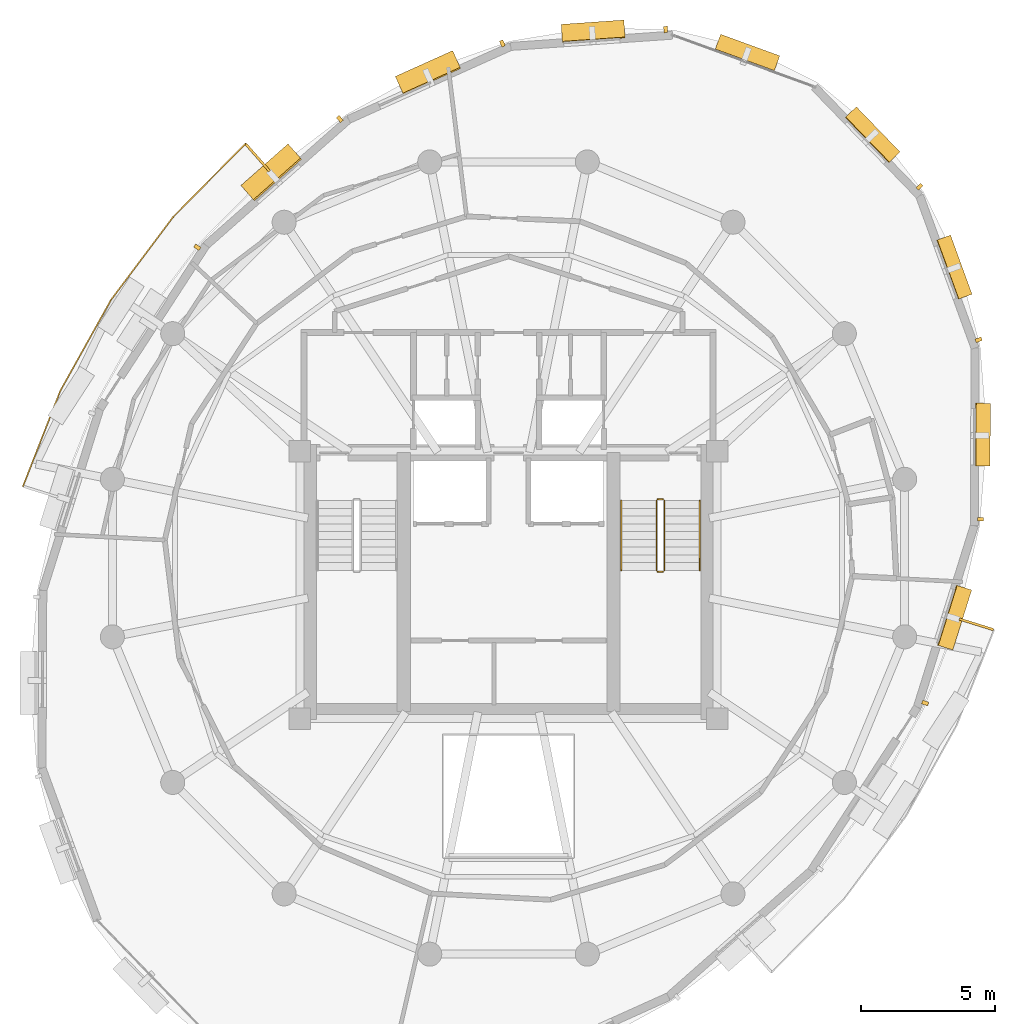
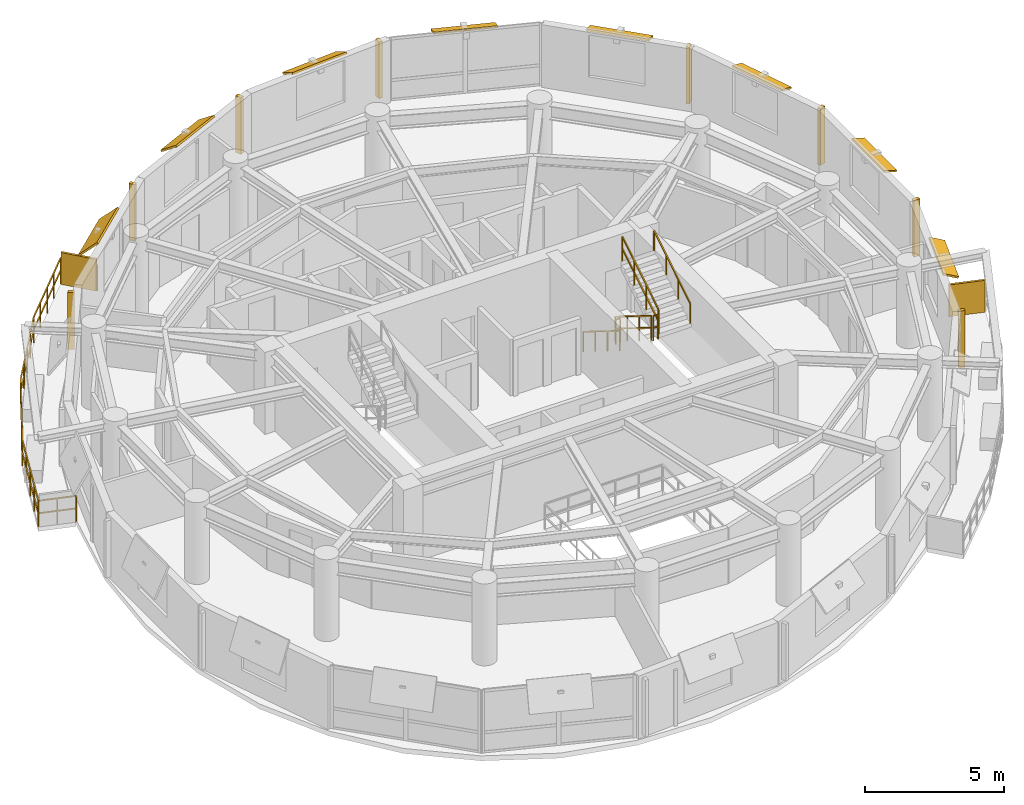
# One storey, part 11 of 11: 18 shading devices, 7 railings.
"""IFC4 building model written with IfcOpenShell, lengths in metres."""

import ifcopenshell
import ifcopenshell.guid

model = None  # the IFC model being written
_history = None  # IfcOwnerHistory: only IFC2X3 demands one
_inside = {}  # id of a spatial element -> (the spatial element, [elements in it])
_under = {}  # id of a project, library or spatial element -> (it, [spatial elements below it])
_declared = {}  # id of a project -> (the project, [libraries it declares])
_typed = {}  # id of a type object -> (the type object, [elements of that type])
_made_of = {}  # id of a material, layer set ... -> (it, [elements and type objects made of it])


def new_model(schema):
    """Start an empty IFC model of exactly this schema.

    Asked for "IFC4X3", IfcOpenShell would pick the latest addendum, in which some entities
    have other attributes; the version numbers below select the first issue.
    IFC2X3 requires an IfcOwnerHistory on every rooted entity: one is made here for all.
    """
    global model, _history
    if schema == "IFC4X3":
        model = ifcopenshell.file(schema_version=(4, 3, 0, 0))
    else:
        model = ifcopenshell.file(schema=schema)
    _inside.clear()
    _under.clear()
    _declared.clear()
    _typed.clear()
    _made_of.clear()
    _history = None
    if model.schema == "IFC2X3":
        org = make("IfcOrganization", Name="unknown")
        user = make(
            "IfcPersonAndOrganization",
            ThePerson=make("IfcPerson", FamilyName="unknown"),
            TheOrganization=org,
        )
        app = make(
            "IfcApplication",
            ApplicationDeveloper=org,
            Version="unknown",
            ApplicationFullName="unknown",
            ApplicationIdentifier="unknown",
        )
        _history = make(
            "IfcOwnerHistory",
            OwningUser=user,
            OwningApplication=app,
            ChangeAction="ADDED",
            CreationDate=0,
        )
    return model


def make(cls, **values):
    """One entity of the class cls with the attributes given. An attribute that is None is left unset."""
    return model.create_entity(
        cls, **{name: value for name, value in values.items() if value is not None}
    )


def rooted(cls, **values):
    """An entity with a GlobalId (a new one), such as an element, a storey or a relation."""
    return make(cls, GlobalId=ifcopenshell.guid.new(), OwnerHistory=_history, **values)


def si_unit(unit_type, name, prefix=None):
    """IfcSIUnit, for example si_unit("LENGTHUNIT", "METRE", prefix="MILLI")."""
    return make("IfcSIUnit", UnitType=unit_type, Prefix=prefix, Name=name)


def assignment(units):
    """IfcUnitAssignment: the units of a project."""
    return None if units is None else make("IfcUnitAssignment", Units=units)


def point(xyz):
    """IfcCartesianPoint."""
    return None if xyz is None else make("IfcCartesianPoint", Coordinates=xyz)


def direction(xyz):
    """IfcDirection."""
    return None if xyz is None else make("IfcDirection", DirectionRatios=xyz)


def frame(location, z_axis=None, x_axis=None):
    """IfcAxis2Placement3D, a coordinate frame: its origin and axes. An axis left out is left unset."""
    return make(
        "IfcAxis2Placement3D",
        Location=point(location),
        Axis=direction(z_axis),
        RefDirection=direction(x_axis),
    )


def frame_2d(location, x_axis=None):
    """IfcAxis2Placement2D, a coordinate frame in the plane: its origin and x axis."""
    return make(
        "IfcAxis2Placement2D", Location=point(location), RefDirection=direction(x_axis)
    )


def origin():
    """The frame at (0, 0, 0) with its axes left unset."""
    return frame((0.0, 0.0, 0.0))


def origin_2d():
    """The frame at (0, 0) in the plane with its x axis left unset."""
    return frame_2d((0.0, 0.0))


def place(relative_to, where):
    """IfcLocalPlacement: puts the frame where relative to a parent placement (None: the world)."""
    return make(
        "IfcLocalPlacement", PlacementRelTo=relative_to, RelativePlacement=where
    )


def context(
    kind, dimensions, precision=None, world=None, true_north=None, identifier=None
):
    """IfcGeometricRepresentationContext, for example the 3D "Model" context."""
    return make(
        "IfcGeometricRepresentationContext",
        ContextIdentifier=identifier,
        ContextType=kind,
        CoordinateSpaceDimension=dimensions,
        Precision=precision,
        WorldCoordinateSystem=world,
        TrueNorth=true_north,
    )


def subcontext(parent, identifier, kind, view, scale=None):
    """IfcGeometricRepresentationSubContext, for example "Body" below "Model"."""
    return make(
        "IfcGeometricRepresentationSubContext",
        ContextIdentifier=identifier,
        ContextType=kind,
        ParentContext=parent,
        TargetScale=scale,
        TargetView=view,
    )


def project(units=None, contexts=None):
    """IfcProject with its units and contexts."""
    return rooted(
        "IfcProject",
        Name="project",
        RepresentationContexts=contexts,
        UnitsInContext=assignment(units),
    )


def spatial(cls, under=None, at=None, **own):
    """A site, building, storey or space (cls), placed at a placement, below another one or the project."""
    s = rooted(cls, ObjectPlacement=at, **own)
    if under is not None:
        _under.setdefault(under.id(), (under, []))[1].append(s)
    return s


def profile(cls, at=None, kind="AREA", **sizes):
    """A parametric profile (cls). Its sizes go by their IFC names, for example OverallWidth=200.0."""
    return make(cls, ProfileType=kind, Position=at, **sizes)


def rectangle(**sizes):
    """IfcRectangleProfileDef."""
    return profile("IfcRectangleProfileDef", **sizes)


def extrude(swept, where, along, depth):
    """IfcExtrudedAreaSolid: the profile swept, set in the frame where, extruded along a direction by depth."""
    return make(
        "IfcExtrudedAreaSolid",
        SweptArea=swept,
        Position=where,
        ExtrudedDirection=direction(along),
        Depth=depth,
    )


def shape(context_of_items, identifier, shape_type, items):
    """IfcShapeRepresentation: the items that make up one representation, for example the "Body"."""
    return make(
        "IfcShapeRepresentation",
        ContextOfItems=context_of_items,
        RepresentationIdentifier=identifier,
        RepresentationType=shape_type,
        Items=items,
    )


def material(Name=None, Category=None):
    """IfcMaterial."""
    return make("IfcMaterial", Name=Name, Category=Category)


def layer(
    of_material, thickness, ventilated=None, Name=None, Category=None, Priority=None
):
    """IfcMaterialLayer: one layer of a wall or slab, of a material (None: an air gap)."""
    return make(
        "IfcMaterialLayer",
        Material=of_material,
        LayerThickness=thickness,
        IsVentilated=ventilated,
        Name=Name,
        Category=Category,
        Priority=Priority,
    )


def layer_set(layers, Name=None):
    """IfcMaterialLayerSet."""
    return make("IfcMaterialLayerSet", MaterialLayers=layers, LayerSetName=Name)


def made_of(thing, what):
    """Note that an element or type object is made of a material, layer set ...; save() writes the relation."""
    if what is not None:
        _made_of.setdefault(what.id(), (what, []))[1].append(thing)
    return thing


def type_object(cls, material=None, **own):
    """A type object (cls), such as IfcWallType, which elements share."""
    return made_of(rooted(cls, **own), material)


def element(
    cls,
    number,
    at=None,
    inside=None,
    cuts=None,
    type_object=None,
    material=None,
    context=None,
    identifier="Body",
    shape_type=None,
    held_by="IfcProductDefinitionShape",
    body=None,
    shapes=None,
    **own,
):
    """One element of the class cls, such as IfcWall. Its Tag is "e" and its number.

    at: its placement. inside: the storey or other place that contains it. cuts: it is an
    opening in that element (IfcRelVoidsElement). A single representation is given by context,
    identifier, shape_type and body (its items); several are given by shapes. held_by: the class
    of the entity that holds the representations. save() writes the other relations.
    """
    e = rooted(cls, Tag="e%d" % number, ObjectPlacement=at, **own)
    if body is not None:
        shapes = [shape(context, identifier, shape_type, body)]
    if shapes is not None:
        e.Representation = make(held_by, Representations=shapes)
    if inside is not None:
        _inside.setdefault(inside.id(), (inside, []))[1].append(e)
    if cuts is not None:
        rooted(
            "IfcRelVoidsElement", RelatingBuildingElement=cuts, RelatedOpeningElement=e
        )
    if type_object is not None:
        _typed.setdefault(type_object.id(), (type_object, []))[1].append(e)
    return made_of(e, material)


def aggregate(whole, parts):
    """IfcRelAggregates: a whole, such as a stair, and the parts it consists of."""
    return rooted("IfcRelAggregates", RelatingObject=whole, RelatedObjects=parts)


def save(model, path):
    """Write the relations noted so far, then the file.

    IfcRelAggregates (storeys below a building ...), IfcRelContainedInSpatialStructure (elements
    in a storey), IfcRelDefinesByType, IfcRelAssociatesMaterial and IfcRelDeclares: one each for
    every whole, place, type object, material and project.
    """
    for whole, parts in _under.values():
        aggregate(whole, parts)
    for where, things in _inside.values():
        rooted(
            "IfcRelContainedInSpatialStructure",
            RelatedElements=things,
            RelatingStructure=where,
        )
    for kind, things in _typed.values():
        rooted("IfcRelDefinesByType", RelatedObjects=things, RelatingType=kind)
    for what, things in _made_of.values():
        rooted("IfcRelAssociatesMaterial", RelatedObjects=things, RelatingMaterial=what)
    for by, libraries in _declared.values():
        rooted("IfcRelDeclares", RelatingContext=by, RelatedDefinitions=libraries)
    model.write(path)


model = new_model("IFC4")

# Units and contexts
model_context = context("Model", 3, precision=1e-05, world=origin(), true_north=direction((0.0, 1.0)))
body_context = subcontext(model_context, "Body", "Model", "MODEL_VIEW")
ifc_project = project(units=[si_unit("LENGTHUNIT", "METRE"), si_unit("AREAUNIT", "SQUARE_METRE"), si_unit("VOLUMEUNIT", "CUBIC_METRE"), si_unit("PLANEANGLEUNIT", "RADIAN"), si_unit("MASSUNIT", "GRAM", prefix="KILO"), si_unit("THERMODYNAMICTEMPERATUREUNIT", "KELVIN"), si_unit("POWERUNIT", "WATT")], contexts=[model_context])

# Site, building, storey
site_placement = place(None, origin())
site = spatial("IfcSite", under=ifc_project, at=site_placement, CompositionType="ELEMENT")
building_placement = place(site_placement, origin())
building = spatial("IfcBuilding", under=site, at=building_placement, Name="Ocrelia Relay Tower", CompositionType="ELEMENT")
storey_placement = place(building_placement, frame((0.0, 0.0, 266.39990234375)))
storey = spatial("IfcBuildingStorey", under=building, at=storey_placement, Name="L66", CompositionType="ELEMENT", Elevation=266.39990234375)

# Railings
ifc_material_1 = material(Name="Steel S355 balustrade", Category="steel")
railing_type_1 = type_object("IfcRailingType", Name="RL-EXT-GUARD-1150", PredefinedType="GUARDRAIL", material=ifc_material_1)
railing_1_placement = place(storey_placement, frame((17.17626953125, 28.270263671875, 0.0)))
element("IfcRailing", 1, at=railing_1_placement, inside=storey, type_object=railing_type_1, Name="L66 Loggia Balcony Guard Rail B1", PredefinedType="GUARDRAIL", context=body_context, shape_type="SweptSolid", body=[
    extrude(rectangle(XDim=0.048095703125, YDim=0.048095703125, at=origin_2d()), frame((0.0, 0.0, 1.1259765625), z_axis=(-0.954719725428, 0.297506715687, 0.0), x_axis=(-0.297506715687, -0.954719725428, 0.0)), (0.0, 0.0, 1.0), 1.393310546875),
    extrude(rectangle(XDim=0.048095703125, YDim=0.048095703125, at=origin_2d()), frame((0.0, 0.0, 0.574951171875), z_axis=(-0.954719725428, 0.297506715687, 0.0), x_axis=(-0.297506715687, -0.954719725428, 0.0)), (0.0, 0.0, 1.0), 1.393310546875),
    extrude(rectangle(XDim=0.048095703125, YDim=0.048095703125, at=origin_2d()), frame((-1.330322265625, 0.41455078125, 1.1259765625), z_axis=(0.364279534591, 0.931289654553, 0.0), x_axis=(-0.931289654553, 0.364279534591, 0.0)), (0.0, 0.0, 1.0), 1.9208984375),
    extrude(rectangle(XDim=0.048095703125, YDim=0.048095703125, at=origin_2d()), frame((-1.330322265625, 0.41455078125, 0.574951171875), z_axis=(0.364279534591, 0.931289654553, 0.0), x_axis=(-0.931289654553, 0.364279534591, 0.0)), (0.0, 0.0, 1.0), 1.9208984375),
    extrude(rectangle(XDim=0.048095703125, YDim=0.048095703125, at=origin_2d()), frame((-0.630615234375, 2.203369140625, 1.1259765625), z_axis=(0.364126183575, 0.931349624167, 0.0), x_axis=(-0.931349624167, 0.364126183575, 0.0)), (0.0, 0.0, 1.0), 1.9208984375),
    extrude(rectangle(XDim=0.048095703125, YDim=0.048095703125, at=origin_2d()), frame((-0.630615234375, 2.203369140625, 0.574951171875), z_axis=(0.364126183575, 0.931349624167, 0.0), x_axis=(-0.931349624167, 0.364126183575, 0.0)), (0.0, 0.0, 1.0), 1.9208984375),
    extrude(rectangle(XDim=0.048095703125, YDim=0.048095703125, at=origin_2d()), frame((0.06884765625, 3.992431640625, 1.1259765625), z_axis=(0.487137508606, 0.87332528173, 0.0), x_axis=(-0.87332528173, 0.487137508606, 0.0)), (0.0, 0.0, 1.0), 3.881591796875),
    extrude(rectangle(XDim=0.048095703125, YDim=0.048095703125, at=origin_2d()), frame((0.06884765625, 3.992431640625, 0.574951171875), z_axis=(0.487137508606, 0.87332528173, 0.0), x_axis=(-0.87332528173, 0.487137508606, 0.0)), (0.0, 0.0, 1.0), 3.881591796875),
    extrude(rectangle(XDim=0.048095703125, YDim=0.048095703125, at=origin_2d()), frame((1.959716796875, 7.38232421875, 1.1259765625), z_axis=(0.59968803612, 0.800233877897, 0.0), x_axis=(-0.800233877897, 0.59968803612, 0.0)), (0.0, 0.0, 1.0), 3.88232421875),
    extrude(rectangle(XDim=0.048095703125, YDim=0.048095703125, at=origin_2d()), frame((1.959716796875, 7.38232421875, 0.574951171875), z_axis=(0.59968803612, 0.800233877897, 0.0), x_axis=(-0.800233877897, 0.59968803612, 0.0)), (0.0, 0.0, 1.0), 3.88232421875),
    extrude(rectangle(XDim=0.048095703125, YDim=0.048095703125, at=origin_2d()), frame((4.287841796875, 10.489013671875, 1.1259765625), z_axis=(0.702707614437, 0.711478747829, 0.0), x_axis=(-0.711478747829, 0.702707614437, 0.0)), (0.0, 0.0, 1.0), 1.920654296875),
    extrude(rectangle(XDim=0.048095703125, YDim=0.048095703125, at=origin_2d()), frame((4.287841796875, 10.489013671875, 0.574951171875), z_axis=(0.702707614437, 0.711478747829, 0.0), x_axis=(-0.711478747829, 0.702707614437, 0.0)), (0.0, 0.0, 1.0), 1.920654296875),
    extrude(rectangle(XDim=0.048095703125, YDim=0.048095703125, at=origin_2d()), frame((5.637451171875, 11.85546875, 1.1259765625), z_axis=(0.702644063333, 0.711541509866, 0.0), x_axis=(-0.711541509866, 0.702644063333, 0.0)), (0.0, 0.0, 1.0), 1.920654296875),
    extrude(rectangle(XDim=0.048095703125, YDim=0.048095703125, at=origin_2d()), frame((5.637451171875, 11.85546875, 0.574951171875), z_axis=(0.702644063333, 0.711541509866, 0.0), x_axis=(-0.711541509866, 0.702644063333, 0.0)), (0.0, 0.0, 1.0), 1.920654296875),
    extrude(rectangle(XDim=0.048095703125, YDim=0.048095703125, at=origin_2d()), frame((6.987060546875, 13.22216796875, 1.1259765625), z_axis=(0.660177516294, -0.751109610497, 0.0), x_axis=(0.751109610497, 0.660177516294, 0.0)), (0.0, 0.0, 1.0), 1.3935546875),
    extrude(rectangle(XDim=0.048095703125, YDim=0.048095703125, at=origin_2d()), frame((6.987060546875, 13.22216796875, 0.574951171875), z_axis=(0.660177516294, -0.751109610497, 0.0), x_axis=(0.751109610497, 0.660177516294, 0.0)), (0.0, 0.0, 1.0), 1.3935546875),
    extrude(rectangle(XDim=0.0419921875, YDim=0.0419921875, at=origin_2d()), origin(), (0.0, 0.0, 1.0), 1.101806640625),
    extrude(rectangle(XDim=0.0419921875, YDim=0.0419921875, at=origin_2d()), frame((-0.6650390625, 0.207275390625, 0.0)), (0.0, 0.0, 1.0), 1.101806640625),
    extrude(rectangle(XDim=0.0419921875, YDim=0.0419921875, at=origin_2d()), frame((-1.330322265625, 0.41455078125, 0.0)), (0.0, 0.0, 1.0), 1.101806640625),
    extrude(rectangle(XDim=0.0419921875, YDim=0.0419921875, at=origin_2d()), frame((-0.98046875, 1.30908203125, 0.0)), (0.0, 0.0, 1.0), 1.101806640625),
    extrude(rectangle(XDim=0.0419921875, YDim=0.0419921875, at=origin_2d()), frame((-0.630615234375, 2.203369140625, 0.0)), (0.0, 0.0, 1.0), 1.101806640625),
    extrude(rectangle(XDim=0.0419921875, YDim=0.0419921875, at=origin_2d()), frame((-0.28076171875, 3.097900390625, 0.0)), (0.0, 0.0, 1.0), 1.101806640625),
    extrude(rectangle(XDim=0.0419921875, YDim=0.0419921875, at=origin_2d()), frame((0.06884765625, 3.992431640625, 0.0)), (0.0, 0.0, 1.0), 1.101806640625),
    extrude(rectangle(XDim=0.0419921875, YDim=0.0419921875, at=origin_2d()), frame((0.54150390625, 4.83984375, 0.0)), (0.0, 0.0, 1.0), 1.101806640625),
    extrude(rectangle(XDim=0.0419921875, YDim=0.0419921875, at=origin_2d()), frame((1.01416015625, 5.6875, 0.0)), (0.0, 0.0, 1.0), 1.101806640625),
    extrude(rectangle(XDim=0.0419921875, YDim=0.0419921875, at=origin_2d()), frame((1.487060546875, 6.534912109375, 0.0)), (0.0, 0.0, 1.0), 1.101806640625),
    extrude(rectangle(XDim=0.0419921875, YDim=0.0419921875, at=origin_2d()), frame((1.959716796875, 7.38232421875, 0.0)), (0.0, 0.0, 1.0), 1.101806640625),
    extrude(rectangle(XDim=0.0419921875, YDim=0.0419921875, at=origin_2d()), frame((2.541748046875, 8.158935546875, 0.0)), (0.0, 0.0, 1.0), 1.101806640625),
    extrude(rectangle(XDim=0.0419921875, YDim=0.0419921875, at=origin_2d()), frame((3.123779296875, 8.935546875, 0.0)), (0.0, 0.0, 1.0), 1.101806640625),
    extrude(rectangle(XDim=0.0419921875, YDim=0.0419921875, at=origin_2d()), frame((3.705810546875, 9.71240234375, 0.0)), (0.0, 0.0, 1.0), 1.101806640625),
    extrude(rectangle(XDim=0.0419921875, YDim=0.0419921875, at=origin_2d()), frame((4.287841796875, 10.489013671875, 0.0)), (0.0, 0.0, 1.0), 1.101806640625),
    extrude(rectangle(XDim=0.0419921875, YDim=0.0419921875, at=origin_2d()), frame((4.962646484375, 11.17236328125, 0.0)), (0.0, 0.0, 1.0), 1.101806640625),
    extrude(rectangle(XDim=0.0419921875, YDim=0.0419921875, at=origin_2d()), frame((5.637451171875, 11.85546875, 0.0)), (0.0, 0.0, 1.0), 1.101806640625),
    extrude(rectangle(XDim=0.0419921875, YDim=0.0419921875, at=origin_2d()), frame((6.312255859375, 12.538818359375, 0.0)), (0.0, 0.0, 1.0), 1.101806640625),
    extrude(rectangle(XDim=0.0419921875, YDim=0.0419921875, at=origin_2d()), frame((6.987060546875, 13.22216796875, 0.0)), (0.0, 0.0, 1.0), 1.101806640625),
    extrude(rectangle(XDim=0.0419921875, YDim=0.0419921875, at=origin_2d()), frame((7.447021484375, 12.69873046875, 0.0)), (0.0, 0.0, 1.0), 1.101806640625),
    extrude(rectangle(XDim=0.0419921875, YDim=0.0419921875, at=origin_2d()), frame((7.906982421875, 12.175537109375, 0.0)), (0.0, 0.0, 1.0), 1.101806640625),
])
railing_type_2 = type_object("IfcRailingType", Name="RL-STAIR-GUARD", PredefinedType="GUARDRAIL", material=ifc_material_1)
railing_2_placement = place(storey_placement, frame((39.530029296875, 28.14990234375, 0.18017578125)))
element("IfcRailing", 2, at=railing_2_placement, inside=storey, type_object=railing_type_2, Name="L66 ST2 stair guard 1", PredefinedType="GUARDRAIL", context=body_context, shape_type="SweptSolid", body=[
    extrude(rectangle(XDim=0.048095703125, YDim=0.048095703125, at=origin_2d()), frame((0.0, 0.0, 1.076171875), z_axis=(0.0, -0.849646306263, 0.527352969322), x_axis=(1.0, 0.0, 0.0)), (0.0, 0.0, 1.0), 3.07177734375),
    extrude(rectangle(XDim=0.048095703125, YDim=0.048095703125, at=origin_2d()), frame((0.0, 0.0, 0.550048828125), z_axis=(0.0, -0.849646306263, 0.527352969322), x_axis=(1.0, 0.0, 0.0)), (0.0, 0.0, 1.0), 3.07177734375),
    extrude(rectangle(XDim=0.0419921875, YDim=0.0419921875, at=origin_2d()), origin(), (0.0, 0.0, 1.0), 1.052001953125),
    extrude(rectangle(XDim=0.0419921875, YDim=0.0419921875, at=origin_2d()), frame((0.0, -0.869873046875, 0.5400390625)), (0.0, 0.0, 1.0), 1.052001953125),
    extrude(rectangle(XDim=0.0419921875, YDim=0.0419921875, at=origin_2d()), frame((0.0, -1.739990234375, 1.079833984375)), (0.0, 0.0, 1.0), 1.052001953125),
    extrude(rectangle(XDim=0.0419921875, YDim=0.0419921875, at=origin_2d()), frame((0.0, -2.60986328125, 1.619873046875)), (0.0, 0.0, 1.0), 1.052001953125),
])
railing_3_placement = place(storey_placement, frame((39.580078125, 25.489990234375, 1.800048828125)))
element("IfcRailing", 3, at=railing_3_placement, inside=storey, type_object=railing_type_2, Name="L66 ST2 stair guard 2", PredefinedType="GUARDRAIL", context=body_context, shape_type="SweptSolid", body=[
    extrude(rectangle(XDim=0.048095703125, YDim=0.048095703125, at=origin_2d()), frame((0.0, 0.0, 1.076171875), z_axis=(1.0, 0.0, 0.0), x_axis=(0.0, 1.0, 0.0)), (0.0, 0.0, 1.0), 0.199951171875),
    extrude(rectangle(XDim=0.048095703125, YDim=0.048095703125, at=origin_2d()), frame((0.0, 0.0, 0.550048828125), z_axis=(1.0, 0.0, 0.0), x_axis=(0.0, 1.0, 0.0)), (0.0, 0.0, 1.0), 0.199951171875),
    extrude(rectangle(XDim=0.0419921875, YDim=0.0419921875, at=origin_2d()), origin(), (0.0, 0.0, 1.0), 1.052001953125),
    extrude(rectangle(XDim=0.0419921875, YDim=0.0419921875, at=origin_2d()), frame((0.199951171875, 0.0, 0.0)), (0.0, 0.0, 1.0), 1.052001953125),
])
railing_4_placement = place(storey_placement, frame((39.830078125, 25.5400390625, 1.97998046875)))
element("IfcRailing", 4, at=railing_4_placement, inside=storey, type_object=railing_type_2, Name="L66 ST2 stair guard 3", PredefinedType="GUARDRAIL", context=body_context, shape_type="SweptSolid", body=[
    extrude(rectangle(XDim=0.048095703125, YDim=0.048095703125, at=origin_2d()), frame((0.0, 0.0, 1.076171875), z_axis=(0.0, 0.849610693518, 0.52741034258), x_axis=(-1.0, 0.0, 0.0)), (0.0, 0.0, 1.0), 3.07177734375),
    extrude(rectangle(XDim=0.048095703125, YDim=0.048095703125, at=origin_2d()), frame((0.0, 0.0, 0.550048828125), z_axis=(0.0, 0.849610693518, 0.52741034258), x_axis=(-1.0, 0.0, 0.0)), (0.0, 0.0, 1.0), 3.07177734375),
    extrude(rectangle(XDim=0.0419921875, YDim=0.0419921875, at=origin_2d()), origin(), (0.0, 0.0, 1.0), 1.052001953125),
    extrude(rectangle(XDim=0.0419921875, YDim=0.0419921875, at=origin_2d()), frame((0.0, 0.869873046875, 0.5400390625)), (0.0, 0.0, 1.0), 1.052001953125),
    extrude(rectangle(XDim=0.0419921875, YDim=0.0419921875, at=origin_2d()), frame((0.0, 1.739990234375, 1.080078125)), (0.0, 0.0, 1.0), 1.052001953125),
    extrude(rectangle(XDim=0.0419921875, YDim=0.0419921875, at=origin_2d()), frame((0.0, 2.60986328125, 1.6201171875)), (0.0, 0.0, 1.0), 1.052001953125),
])
railing_5_placement = place(storey_placement, frame((39.580078125, 28.199951171875, 0.0)))
element("IfcRailing", 5, at=railing_5_placement, inside=storey, type_object=railing_type_2, Name="L66 ST2 stair guard 4", PredefinedType="GUARDRAIL", context=body_context, shape_type="SweptSolid", body=[
    extrude(rectangle(XDim=0.048095703125, YDim=0.048095703125, at=origin_2d()), frame((0.0, 0.0, 1.076171875), z_axis=(1.0, 0.0, 0.0), x_axis=(0.0, 1.0, 0.0)), (0.0, 0.0, 1.0), 0.199951171875),
    extrude(rectangle(XDim=0.048095703125, YDim=0.048095703125, at=origin_2d()), frame((0.0, 0.0, 0.550048828125), z_axis=(1.0, 0.0, 0.0), x_axis=(0.0, 1.0, 0.0)), (0.0, 0.0, 1.0), 0.199951171875),
    extrude(rectangle(XDim=0.0419921875, YDim=0.0419921875, at=origin_2d()), origin(), (0.0, 0.0, 1.0), 1.052001953125),
    extrude(rectangle(XDim=0.0419921875, YDim=0.0419921875, at=origin_2d()), frame((0.199951171875, 0.0, 0.0)), (0.0, 0.0, 1.0), 1.052001953125),
])
ifc_material_2 = material(Name="Steel S355 tubular handrail", Category="steel")
railing_type_3 = type_object("IfcRailingType", Name="RL-STAIR-HAND", PredefinedType="HANDRAIL", material=ifc_material_2)
railing_6_placement = place(storey_placement, frame((38.2099609375, 28.14990234375, 0.18017578125)))
element("IfcRailing", 6, at=railing_6_placement, inside=storey, type_object=railing_type_3, Name="L66 ST2 stair handrail 1", PredefinedType="HANDRAIL", context=body_context, shape_type="SweptSolid", body=[
    extrude(rectangle(XDim=0.048095703125, YDim=0.048095703125, at=origin_2d()), frame((0.0, 0.0, 0.8759765625), z_axis=(0.0, -0.849646306263, 0.527352969322), x_axis=(1.0, 0.0, 0.0)), (0.0, 0.0, 1.0), 3.07177734375),
    extrude(rectangle(XDim=0.0419921875, YDim=0.0419921875, at=origin_2d()), origin(), (0.0, 0.0, 1.0), 0.851806640625),
    extrude(rectangle(XDim=0.0419921875, YDim=0.0419921875, at=origin_2d()), frame((0.0, -0.869873046875, 0.5400390625)), (0.0, 0.0, 1.0), 0.851806640625),
    extrude(rectangle(XDim=0.0419921875, YDim=0.0419921875, at=origin_2d()), frame((0.0, -1.739990234375, 1.079833984375)), (0.0, 0.0, 1.0), 0.851806640625),
    extrude(rectangle(XDim=0.0419921875, YDim=0.0419921875, at=origin_2d()), frame((0.0, -2.60986328125, 1.619873046875)), (0.0, 0.0, 1.0), 0.851806640625),
])
railing_7_placement = place(storey_placement, frame((41.14990234375, 25.5400390625, 1.97998046875)))
element("IfcRailing", 7, at=railing_7_placement, inside=storey, type_object=railing_type_3, Name="L66 ST2 stair handrail 2", PredefinedType="HANDRAIL", context=body_context, shape_type="SweptSolid", body=[
    extrude(rectangle(XDim=0.048095703125, YDim=0.048095703125, at=origin_2d()), frame((0.0, 0.0, 0.8759765625), z_axis=(0.0, 0.849610693518, 0.52741034258), x_axis=(-1.0, 0.0, 0.0)), (0.0, 0.0, 1.0), 3.07177734375),
    extrude(rectangle(XDim=0.0419921875, YDim=0.0419921875, at=origin_2d()), origin(), (0.0, 0.0, 1.0), 0.851806640625),
    extrude(rectangle(XDim=0.0419921875, YDim=0.0419921875, at=origin_2d()), frame((0.0, 0.869873046875, 0.5400390625)), (0.0, 0.0, 1.0), 0.851806640625),
    extrude(rectangle(XDim=0.0419921875, YDim=0.0419921875, at=origin_2d()), frame((0.0, 1.739990234375, 1.080078125)), (0.0, 0.0, 1.0), 0.851806640625),
    extrude(rectangle(XDim=0.0419921875, YDim=0.0419921875, at=origin_2d()), frame((0.0, 2.60986328125, 1.6201171875)), (0.0, 0.0, 1.0), 0.851806640625),
])

# Shading devices
ifc_material_3 = material(Name="Perforated oxide terracotta solar screen", Category="masonry")
ifc_layer_1 = layer(ifc_material_3, 0.090087890625, Name="Perforated oxide terracotta solar screen")
ifc_layer_set_1 = layer_set([ifc_layer_1], Name="Perforated oxide terracotta solar screen")
shading_device_type_1 = type_object("IfcShadingDeviceType", Name="SH-BALC-SCREEN", PredefinedType="USERDEFINED", material=ifc_layer_set_1)
for number, where, z_axis, x_axis, name in (
    (8, (24.623291015625, 40.96923828125, 0.000244140625), (0.0, 0.0, 1.0), (-0.660220126372, 0.751072156809, 0.0), "L66 Balcony Perforated Terracotta Screen B1-1"),
    (9, (51.48876953125, 23.5224609375, 0.000244140625), (0.0, 0.0, 1.0), (0.954687889264, -0.29760886091, 0.0), "L66 Balcony Perforated Terracotta Screen B2-2"),
):
    element("IfcShadingDevice", number, at=place(storey_placement, frame(where, z_axis=z_axis, x_axis=x_axis)), inside=storey, type_object=shading_device_type_1, Name=name, ObjectType="SCREEN", PredefinedType="USERDEFINED", context=body_context, shape_type="SweptSolid", body=[
        extrude(rectangle(XDim=1.340087890625, YDim=0.090087890625, at=origin_2d()), origin(), (0.0, 0.0, 1.0), 1.39990234375),
    ])
ifc_material_4 = material(Name="Extruded oxide terracotta vertical baguette", Category="masonry")
shading_device_type_2 = type_object("IfcShadingDeviceType", Name="SH-TERR-BAGUETTE", PredefinedType="USERDEFINED", material=ifc_material_4)
for number, where, z_axis, x_axis, name in (
    (10, (39.8740234375, 45.76171875, 0.130126953125), (0.0, 0.0, 1.0), (-0.997585371501, -0.069450893212, 0.0), "L66 Oxide Terracotta Vertical Baguette 02"),
    (11, (33.76904296875, 45.2392578125, 0.130126953125), (0.0, 0.0, 1.0), (-0.911788515495, -0.410660082077, 0.0), "L66 Oxide Terracotta Vertical Baguette 03"),
    (12, (27.693115234375, 42.413818359375, 0.130126953125), (0.0, 0.0, 1.0), (-0.750017473549, -0.661418014096, 0.0), "L66 Oxide Terracotta Vertical Baguette 04"),
    (13, (22.364990234375, 37.617919921875, 0.130126953125), (0.0, 0.0, 1.0), (-0.544632623088, -0.838674731865, 0.0), "L66 Oxide Terracotta Vertical Baguette 05"),
    (14, (49.57470703125, 20.5830078125, 0.130126953125), (0.0, 0.0, 1.0), (0.299189540932, 0.954193700774, 0.0), "L66 Oxide Terracotta Vertical Baguette 15"),
    (15, (51.643310546875, 27.451171875, 0.130126953125), (0.0, 0.0, 1.0), (0.004305179057, 0.999990732674, 0.0), "L66 Oxide Terracotta Vertical Baguette 16"),
    (16, (51.57470703125, 34.159423828125, 0.130126953125), (0.0, 0.0, 1.0), (-0.342316519811, 0.939584695631, 0.0), "L66 Oxide Terracotta Vertical Baguette 17"),
    (17, (49.3642578125, 39.88330078125, 0.130126953125), (0.0, 0.0, 1.0), (-0.695257493895, 0.718760751004, 0.0), "L66 Oxide Terracotta Vertical Baguette 18"),
):
    element("IfcShadingDevice", number, at=place(storey_placement, frame(where, z_axis=z_axis, x_axis=x_axis)), inside=storey, type_object=shading_device_type_2, Name=name, ObjectType="BAGUETTE", PredefinedType="USERDEFINED", context=body_context, shape_type="SweptSolid", body=[
        extrude(rectangle(XDim=0.139892578125, YDim=0.239990234375, at=origin_2d()), origin(), (0.0, 0.0, 1.0), 2.5),
    ])
ifc_material_5 = material(Name="Extruded oxide terracotta fin", Category="masonry")
ifc_layer_2 = layer(ifc_material_5, 0.080078125, Name="Extruded oxide terracotta fin")
ifc_layer_set_2 = layer_set([ifc_layer_2], Name="Extruded oxide terracotta fin")
shading_device_type_3 = type_object("IfcShadingDeviceType", Name="SH-VISOR-FIN-MED", PredefinedType="USERDEFINED", material=ifc_layer_set_2)
shading_device_1_placement = place(storey_placement, frame((30.99853515625, 44.133544921875, 2.567626953125), z_axis=(-0.238763185993, 0.53012586422, 0.813608449501), x_axis=(-0.911788515495, -0.410660082077, 0.0)))
element("IfcShadingDevice", 18, at=shading_device_1_placement, inside=storey, type_object=shading_device_type_3, Name="L66 Canted Terracotta Sun-Visor Fin 03", ObjectType="FIN", PredefinedType="USERDEFINED", context=body_context, shape_type="SweptSolid", body=[
    extrude(rectangle(XDim=2.35009765625, YDim=0.843017578125, at=origin_2d()), origin(), (0.0, 0.0, 1.0), 0.080078125),
])
shading_device_2_placement = place(storey_placement, frame((25.1455078125, 40.3994140625, 2.57177734375), z_axis=(-0.465729997098, 0.528116302149, 0.710062491058), x_axis=(-0.750017473549, -0.661418014096, 0.0)))
element("IfcShadingDevice", 19, at=shading_device_2_placement, inside=storey, type_object=shading_device_type_3, Name="L66 Canted Terracotta Sun-Visor Fin 04", ObjectType="FIN", PredefinedType="USERDEFINED", context=body_context, shape_type="SweptSolid", body=[
    extrude(rectangle(XDim=2.35009765625, YDim=0.99609375, at=origin_2d()), origin(), (0.0, 0.0, 1.0), 0.080078125),
])
ifc_layer_3 = layer(ifc_material_5, 0.080078125, Name="Extruded oxide terracotta fin")
ifc_layer_set_3 = layer_set([ifc_layer_3], Name="Extruded oxide terracotta fin")
shading_device_type_4 = type_object("IfcShadingDeviceType", Name="SH-VISOR-FIN-SHAL", PredefinedType="USERDEFINED", material=ifc_layer_set_3)
shading_device_3_placement = place(storey_placement, frame((42.92333984375, 44.87255859375, 2.5634765625), z_axis=(0.136855235769, 0.375039447549, 0.916851164162), x_axis=(-0.939408893215, 0.342798674659, 0.0)))
element("IfcShadingDevice", 20, at=shading_device_3_placement, inside=storey, type_object=shading_device_type_4, Name="L66 Canted Terracotta Sun-Visor Fin 01", ObjectType="FIN", PredefinedType="USERDEFINED", context=body_context, shape_type="SweptSolid", body=[
    extrude(rectangle(XDim=2.35009765625, YDim=0.64208984375, at=origin_2d()), origin(), (0.0, 0.0, 1.0), 0.080078125),
])
shading_device_4_placement = place(storey_placement, frame((37.164794921875, 45.67822265625, 2.56494140625), z_axis=(-0.033181704237, 0.476618531707, 0.87848377887), x_axis=(-0.997585371501, -0.069450893212, 0.0)))
element("IfcShadingDevice", 21, at=shading_device_4_placement, inside=storey, type_object=shading_device_type_4, Name="L66 Canted Terracotta Sun-Visor Fin 02", ObjectType="FIN", PredefinedType="USERDEFINED", context=body_context, shape_type="SweptSolid", body=[
    extrude(rectangle(XDim=2.35009765625, YDim=0.72607421875, at=origin_2d()), origin(), (0.0, 0.0, 1.0), 0.080078125),
])
shading_device_5_placement = place(storey_placement, frame((50.662353515625, 23.778076171875, 2.56298828125), z_axis=(0.35404757102, -0.111012397332, 0.928615402141), x_axis=(0.299189540932, 0.954193700774, 0.0)))
element("IfcShadingDevice", 22, at=shading_device_5_placement, inside=storey, type_object=shading_device_type_4, Name="L66 Canted Terracotta Sun-Visor Fin 15", ObjectType="FIN", PredefinedType="USERDEFINED", context=body_context, shape_type="SweptSolid", body=[
    extrude(rectangle(XDim=2.35009765625, YDim=0.613037109375, at=origin_2d()), origin(), (0.0, 0.0, 1.0), 0.080078125),
])
shading_device_6_placement = place(storey_placement, frame((51.7197265625, 30.61328125, 2.56201171875), z_axis=(0.315646111724, -0.001358925623, 0.948876011644), x_axis=(0.004305179057, 0.999990732674, 0.0)))
element("IfcShadingDevice", 23, at=shading_device_6_placement, inside=storey, type_object=shading_device_type_4, Name="L66 Canted Terracotta Sun-Visor Fin 16", ObjectType="FIN", PredefinedType="USERDEFINED", context=body_context, shape_type="SweptSolid", body=[
    extrude(rectangle(XDim=2.35009765625, YDim=0.556884765625, at=origin_2d()), origin(), (0.0, 0.0, 1.0), 0.080078125),
])
shading_device_7_placement = place(storey_placement, frame((50.655517578125, 36.870849609375, 2.56201171875), z_axis=(0.294088175615, 0.107144402481, 0.949753769132), x_axis=(-0.342316519811, 0.939584695631, 0.0)))
element("IfcShadingDevice", 24, at=shading_device_7_placement, inside=storey, type_object=shading_device_type_4, Name="L66 Canted Terracotta Sun-Visor Fin 17", ObjectType="FIN", PredefinedType="USERDEFINED", context=body_context, shape_type="SweptSolid", body=[
    extrude(rectangle(XDim=2.35009765625, YDim=0.553955078125, at=origin_2d()), origin(), (0.0, 0.0, 1.0), 0.080078125),
])
shading_device_8_placement = place(storey_placement, frame((47.602783203125, 41.8173828125, 2.5625), z_axis=(0.247362487137, 0.239273809332, 0.938914183579), x_axis=(-0.695257493895, 0.718760751004, 0.0)))
element("IfcShadingDevice", 25, at=shading_device_8_placement, inside=storey, type_object=shading_device_type_4, Name="L66 Canted Terracotta Sun-Visor Fin 18", ObjectType="FIN", PredefinedType="USERDEFINED", context=body_context, shape_type="SweptSolid", body=[
    extrude(rectangle(XDim=2.35009765625, YDim=0.5849609375, at=origin_2d()), origin(), (0.0, 0.0, 1.0), 0.080078125),
])

save(model, "model.ifc")
